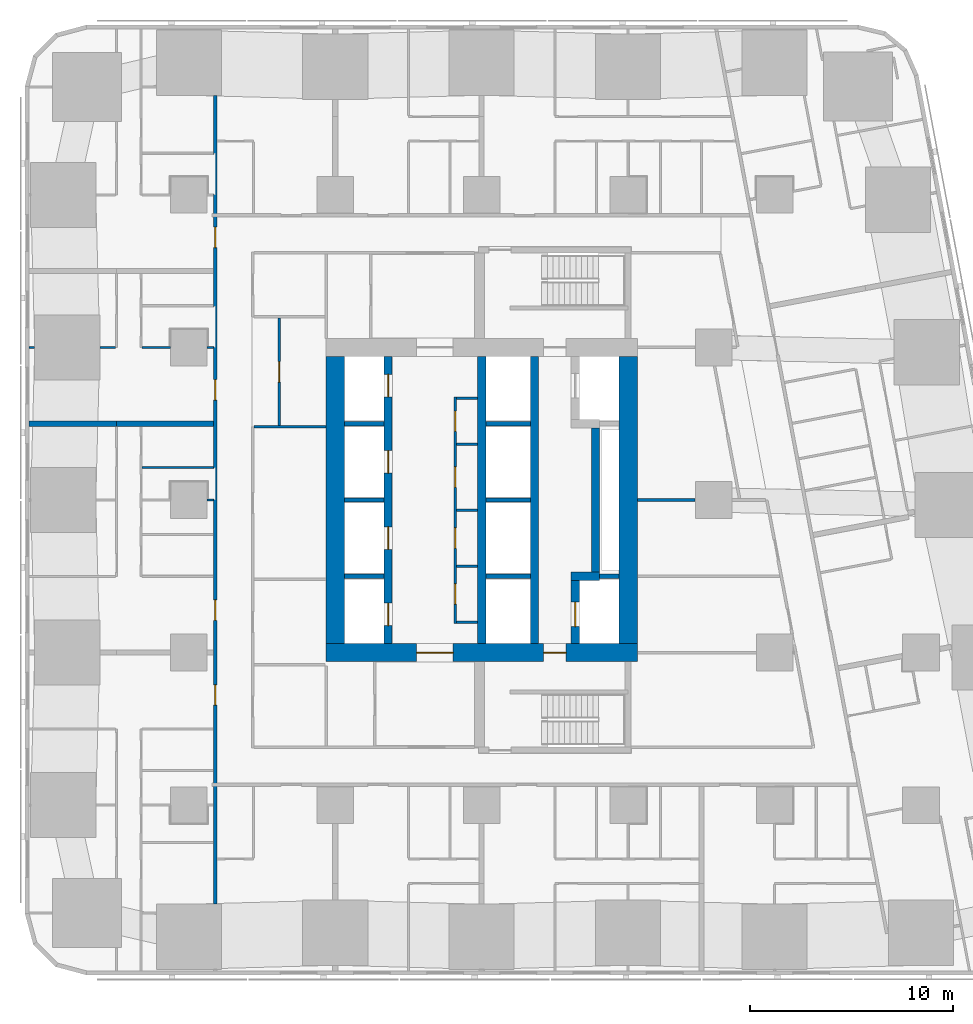
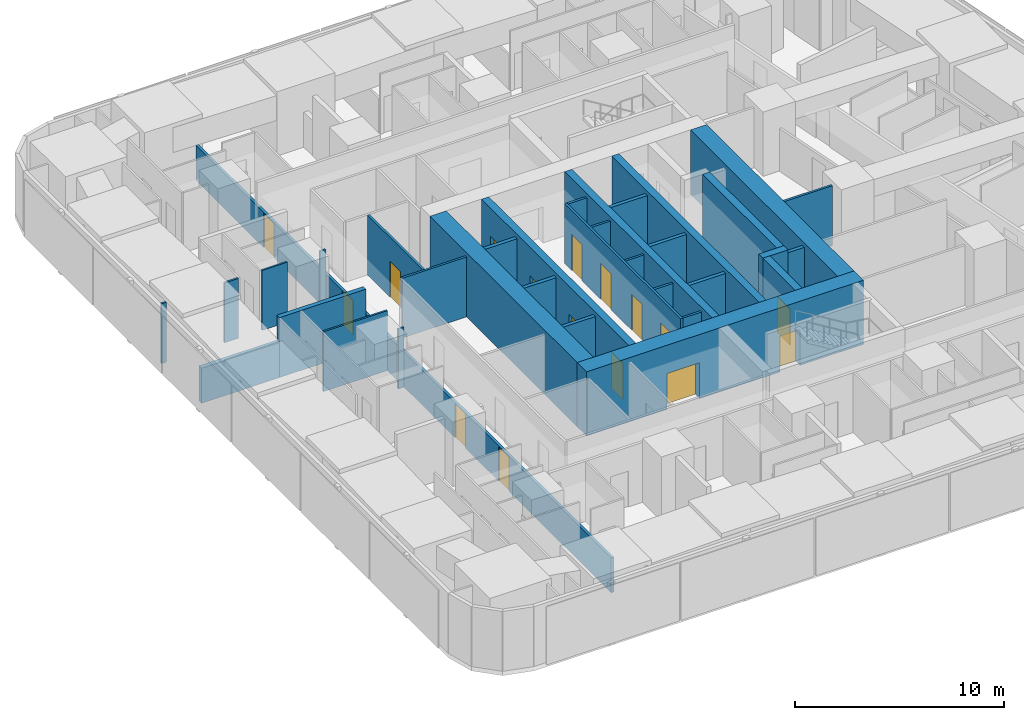
# One storey, part 6 of 17: 34 walls, 16 doors, 16 openings.
"""IFC4 building model written with IfcOpenShell, lengths in metres."""

from ifc_helpers import new_model, si_unit, direction, frame, frame_2d, origin, place, context, subcontext, project, spatial, rectangle, extrude, material, layer, layer_set, type_object, element, fill, save


model = new_model("IFC4")

# Units and contexts
model_context = context("Model", 3, precision=1e-05, world=origin(), true_north=direction((0.0, 1.0)))
body_context = subcontext(model_context, "Body", "Model", "MODEL_VIEW")
ifc_project = project(units=[si_unit("LENGTHUNIT", "METRE"), si_unit("AREAUNIT", "SQUARE_METRE"), si_unit("VOLUMEUNIT", "CUBIC_METRE"), si_unit("PLANEANGLEUNIT", "RADIAN"), si_unit("MASSUNIT", "GRAM", prefix="KILO")], contexts=[model_context])

# Site, building, storey
site_placement = place(None, origin())
site = spatial("IfcSite", under=ifc_project, at=site_placement, CompositionType="ELEMENT")
building_placement = place(site_placement, origin())
building = spatial("IfcBuilding", under=site, at=building_placement, Name="Sheger Commons Tower", CompositionType="ELEMENT")
storey_placement = place(building_placement, frame((0.0, 0.0, 23.75)))
storey = spatial("IfcBuildingStorey", under=building, at=storey_placement, Name="L05", CompositionType="ELEMENT", Elevation=23.75)

# Wall, openings, doors
ifc_material_1 = material(Name="Concrete C50/60", Category="concrete")
ifc_layer_1 = layer(ifc_material_1, 0.39990234375)
ifc_layer_set_1 = layer_set([ifc_layer_1], Name="CORE INNER WALL 400")
wall_type_1 = type_object("IfcWallType", Name="CORE INNER WALL 400", PredefinedType="SHEAR", material=ifc_layer_set_1)
wall_1_placement = place(storey_placement, frame((17.0, 15.449951171875, 0.0), z_axis=(0.0, 0.0, 1.0), x_axis=(0.0, 1.0, 0.0)))
wall_1 = element("IfcWall", 1, at=wall_1_placement, inside=storey, type_object=wall_type_1, Name="Core inner wall A L05", PredefinedType="SHEAR", context=body_context, shape_type="SweptSolid", body=[
    extrude(rectangle(XDim=14.10009765625, YDim=0.39990234375, at=frame_2d((7.050048828125, 0.0))), origin(), (0.0, 0.0, 1.0), 3.75),
])
opening_1_placement = place(wall_1_placement, frame((0.875, 0.0, 0.0)))
opening_1 = element("IfcOpeningElement", 2, at=opening_1_placement, cuts=wall_1, Name="Opening LD", PredefinedType="OPENING", context=body_context, shape_type="SweptSolid", body=[
    extrude(rectangle(XDim=1.10009765625, YDim=2.10009765625, at=frame_2d((0.550048828125, 1.050048828125))), frame((0.0, 0.2099609375, 0.0), z_axis=(0.0, -1.0, 0.0), x_axis=(1.0, 0.0, 0.0)), (0.0, 0.0, 1.0), 0.419921875),
])
opening_2_placement = place(wall_1_placement, frame((4.625, 0.0, 0.0)))
opening_2 = element("IfcOpeningElement", 3, at=opening_2_placement, cuts=wall_1, Name="Opening LD", PredefinedType="OPENING", context=body_context, shape_type="SweptSolid", body=[
    extrude(rectangle(XDim=1.10009765625, YDim=2.10009765625, at=frame_2d((0.550048828125, 1.050048828125))), frame((0.0, 0.2099609375, 0.0), z_axis=(0.0, -1.0, 0.0), x_axis=(1.0, 0.0, 0.0)), (0.0, 0.0, 1.0), 0.419921875),
])
opening_3_placement = place(wall_1_placement, frame((8.375, 0.0, 0.0)))
opening_3 = element("IfcOpeningElement", 4, at=opening_3_placement, cuts=wall_1, Name="Opening LD", PredefinedType="OPENING", context=body_context, shape_type="SweptSolid", body=[
    extrude(rectangle(XDim=1.10009765625, YDim=2.10009765625, at=frame_2d((0.550048828125, 1.050048828125))), frame((0.0, 0.2099609375, 0.0), z_axis=(0.0, -1.0, 0.0), x_axis=(1.0, 0.0, 0.0)), (0.0, 0.0, 1.0), 0.419921875),
])
opening_4_placement = place(wall_1_placement, frame((12.125, 0.0, 0.0)))
opening_4 = element("IfcOpeningElement", 5, at=opening_4_placement, cuts=wall_1, Name="Opening LD", PredefinedType="OPENING", context=body_context, shape_type="SweptSolid", body=[
    extrude(rectangle(XDim=1.10009765625, YDim=2.10009765625, at=frame_2d((0.550048828125, 1.050048828125))), frame((0.0, 0.2099609375, 0.0), z_axis=(0.0, -1.0, 0.0), x_axis=(1.0, 0.0, 0.0)), (0.0, 0.0, 1.0), 0.419921875),
])
ifc_material_2 = material(Name="Steel door set, fire rated", Category="steel")
door_type_1 = type_object("IfcDoorType", Name="LIFT LANDING DOOR 1100x2100", OperationType="DOUBLE_DOOR_SLIDING", PredefinedType="DOOR", material=ifc_material_2)
door_1_placement = place(opening_1_placement, origin())
door_1 = element("IfcDoor", 6, at=door_1_placement, inside=storey, type_object=door_type_1, Name="Lift LA1 landing door", OperationType="DOUBLE_DOOR_SLIDING", OverallHeight=2.10009765625, OverallWidth=1.10009765625, PredefinedType="DOOR", context=body_context, shape_type="SweptSolid", body=[
    extrude(rectangle(XDim=1.10009765625, YDim=2.10009765625, at=frame_2d((0.550048828125, 1.050048828125))), frame((0.0, 0.02490234375, 0.0), z_axis=(0.0, -1.0, 0.0), x_axis=(1.0, 0.0, 0.0)), (0.0, 0.0, 1.0), 0.050048828125),
])
fill(opening_1, door_1)
door_2_placement = place(opening_2_placement, origin())
door_2 = element("IfcDoor", 7, at=door_2_placement, inside=storey, type_object=door_type_1, Name="Lift LA2 landing door", OperationType="DOUBLE_DOOR_SLIDING", OverallHeight=2.10009765625, OverallWidth=1.10009765625, PredefinedType="DOOR", context=body_context, shape_type="SweptSolid", body=[
    extrude(rectangle(XDim=1.10009765625, YDim=2.10009765625, at=frame_2d((0.550048828125, 1.050048828125))), frame((0.0, 0.02490234375, 0.0), z_axis=(0.0, -1.0, 0.0), x_axis=(1.0, 0.0, 0.0)), (0.0, 0.0, 1.0), 0.050048828125),
])
fill(opening_2, door_2)
door_3_placement = place(opening_3_placement, origin())
door_3 = element("IfcDoor", 8, at=door_3_placement, inside=storey, type_object=door_type_1, Name="Lift LA3 landing door", OperationType="DOUBLE_DOOR_SLIDING", OverallHeight=2.10009765625, OverallWidth=1.10009765625, PredefinedType="DOOR", context=body_context, shape_type="SweptSolid", body=[
    extrude(rectangle(XDim=1.10009765625, YDim=2.10009765625, at=frame_2d((0.550048828125, 1.050048828125))), frame((0.0, 0.02490234375, 0.0), z_axis=(0.0, -1.0, 0.0), x_axis=(1.0, 0.0, 0.0)), (0.0, 0.0, 1.0), 0.050048828125),
])
fill(opening_3, door_3)
door_4_placement = place(opening_4_placement, origin())
door_4 = element("IfcDoor", 9, at=door_4_placement, inside=storey, type_object=door_type_1, Name="Lift LA4 landing door", OperationType="DOUBLE_DOOR_SLIDING", OverallHeight=2.10009765625, OverallWidth=1.10009765625, PredefinedType="DOOR", context=body_context, shape_type="SweptSolid", body=[
    extrude(rectangle(XDim=1.10009765625, YDim=2.10009765625, at=frame_2d((0.550048828125, 1.050048828125))), frame((0.0, 0.02490234375, 0.0), z_axis=(0.0, -1.0, 0.0), x_axis=(1.0, 0.0, 0.0)), (0.0, 0.0, 1.0), 0.050048828125),
])
fill(opening_4, door_4)

# Walls
for number, where, z_axis, x_axis, name in (
    (10, (21.60009765625, 15.449951171875, 0.0), (0.0, 0.0, 1.0), (0.0, 1.0, 0.0), "Core inner wall L L05"),
    (11, (24.199951171875, 15.449951171875, 0.0), (0.0, 0.0, 1.0), (0.0, 1.0, 0.0), "Core inner wall B L05"),
):
    element("IfcWall", number, at=place(storey_placement, frame(where, z_axis=z_axis, x_axis=x_axis)), inside=storey, type_object=wall_type_1, Name=name, PredefinedType="SHEAR", context=body_context, shape_type="SweptSolid", body=[
        extrude(rectangle(XDim=14.10009765625, YDim=0.39990234375, at=frame_2d((7.050048828125, 0.0))), origin(), (0.0, 0.0, 1.0), 3.75),
    ])

# Wall, opening, door
wall_2_placement = place(storey_placement, frame((26.199951171875, 15.449951171875, 0.0), z_axis=(0.0, 0.0, 1.0), x_axis=(0.0, 1.0, 0.0)))
wall_2 = element("IfcWall", 12, at=wall_2_placement, inside=storey, type_object=wall_type_1, Name="Core inner wall F L05", PredefinedType="SHEAR", context=body_context, shape_type="SweptSolid", body=[
    extrude(rectangle(XDim=3.10009765625, YDim=0.39990234375, at=frame_2d((1.550048828125, 0.0))), origin(), (0.0, 0.0, 1.0), 3.75),
])
opening_5_placement = place(wall_2_placement, frame((0.824951171875, 0.0, 0.0)))
opening_5 = element("IfcOpeningElement", 13, at=opening_5_placement, cuts=wall_2, Name="Opening LD2", PredefinedType="OPENING", context=body_context, shape_type="SweptSolid", body=[
    extrude(rectangle(XDim=1.199951171875, YDim=2.10009765625, at=frame_2d((0.60009765625, 1.050048828125))), frame((0.0, 0.2099609375, 0.0), z_axis=(0.0, -1.0, 0.0), x_axis=(1.0, 0.0, 0.0)), (0.0, 0.0, 1.0), 0.419921875),
])
ifc_material_3 = material(Name="Steel door set, fire rated", Category="steel")
door_type_2 = type_object("IfcDoorType", Name="FIREFIGHTING LIFT LANDING DOOR 1200x2100", OperationType="DOUBLE_DOOR_SLIDING", PredefinedType="DOOR", material=ifc_material_3)
door_5_placement = place(opening_5_placement, origin())
door_5 = element("IfcDoor", 14, at=door_5_placement, inside=storey, type_object=door_type_2, Name="Lift FL1 landing door", OperationType="DOUBLE_DOOR_SLIDING", OverallHeight=2.10009765625, OverallWidth=1.199951171875, PredefinedType="DOOR", context=body_context, shape_type="SweptSolid", body=[
    extrude(rectangle(XDim=1.199951171875, YDim=2.10009765625, at=frame_2d((0.60009765625, 1.050048828125))), frame((0.0, 0.02490234375, 0.0), z_axis=(0.0, -1.0, 0.0), x_axis=(1.0, 0.0, 0.0)), (0.0, 0.0, 1.0), 0.050048828125),
])
fill(opening_5, door_5)

# Walls
wall_3_placement = place(storey_placement, frame((26.0, 18.75, 0.0), z_axis=(0.0, 0.0, 1.0), x_axis=(1.0, 0.0, 0.0)))
element("IfcWall", 15, at=wall_3_placement, inside=storey, type_object=wall_type_1, Name="Core inner wall F south return L05", PredefinedType="SHEAR", context=body_context, shape_type="SweptSolid", body=[
    extrude(rectangle(XDim=1.39990234375, YDim=0.39990234375, at=frame_2d((0.699951171875, 0.0))), origin(), (0.0, 0.0, 1.0), 3.75),
])
wall_4_placement = place(storey_placement, frame((27.199951171875, 18.949951171875, 0.0), z_axis=(0.0, 0.0, 1.0), x_axis=(0.0, 1.0, 0.0)))
element("IfcWall", 16, at=wall_4_placement, inside=storey, type_object=wall_type_1, Name="Core inner wall F middle L05", PredefinedType="SHEAR", context=body_context, shape_type="SweptSolid", body=[
    extrude(rectangle(XDim=7.10009765625, YDim=0.39990234375, at=frame_2d((3.550048828125, 0.0))), origin(), (0.0, 0.0, 1.0), 3.75),
])

# Wall, openings, doors
ifc_material_4 = material(Name="Concrete C50/60", Category="concrete")
ifc_layer_2 = layer(ifc_material_4, 0.89990234375)
ifc_layer_set_2 = layer_set([ifc_layer_2], Name="CORE WALL 900")
wall_type_2 = type_object("IfcWallType", Name="CORE WALL 900", PredefinedType="SHEAR", material=ifc_layer_set_2)
wall_5_placement = place(storey_placement, frame((13.949951171875, 15.0, 0.0), z_axis=(0.0, 0.0, 1.0), x_axis=(1.0, 0.0, 0.0)))
wall_5 = element("IfcWall", 17, at=wall_5_placement, inside=storey, type_object=wall_type_2, Name="Core wall south L05", PredefinedType="SHEAR", context=body_context, shape_type="SweptSolid", body=[
    extrude(rectangle(XDim=15.300048828125, YDim=0.89990234375, at=frame_2d((7.64990234375, 0.0))), origin(), (0.0, 0.0, 1.0), 3.75),
])
opening_6_placement = place(wall_5_placement, frame((4.449951171875, 0.0, 0.0)))
opening_6 = element("IfcOpeningElement", 18, at=opening_6_placement, cuts=wall_5, Name="Opening D6", PredefinedType="OPENING", context=body_context, shape_type="SweptSolid", body=[
    extrude(rectangle(XDim=1.800048828125, YDim=2.10009765625, at=frame_2d((0.89990234375, 1.050048828125))), frame((0.0, 0.4599609375, 0.0), z_axis=(0.0, -1.0, 0.0), x_axis=(1.0, 0.0, 0.0)), (0.0, 0.0, 1.0), 0.919921875),
])
opening_7_placement = place(wall_5_placement, frame((10.699951171875, 0.0, 0.0)))
opening_7 = element("IfcOpeningElement", 19, at=opening_7_placement, cuts=wall_5, Name="Opening D5", PredefinedType="OPENING", context=body_context, shape_type="SweptSolid", body=[
    extrude(rectangle(XDim=1.10009765625, YDim=2.10009765625, at=frame_2d((0.550048828125, 1.050048828125))), frame((0.0, 0.4599609375, 0.0), z_axis=(0.0, -1.0, 0.0), x_axis=(1.0, 0.0, 0.0)), (0.0, 0.0, 1.0), 0.919921875),
])
ifc_material_5 = material(Name="Steel door set, fire rated", Category="steel")
door_type_3 = type_object("IfcDoorType", Name="LOBBY DOUBLE DOOR 1800x2100", OperationType="DOUBLE_DOOR_SINGLE_SWING", PredefinedType="DOOR", material=ifc_material_5)
door_6_placement = place(opening_6_placement, origin())
door_6 = element("IfcDoor", 20, at=door_6_placement, inside=storey, type_object=door_type_3, Name="Lift lobby door", OperationType="DOUBLE_DOOR_SINGLE_SWING", OverallHeight=2.10009765625, OverallWidth=1.800048828125, PredefinedType="DOOR", context=body_context, shape_type="SweptSolid", body=[
    extrude(rectangle(XDim=1.800048828125, YDim=2.10009765625, at=frame_2d((0.89990234375, 1.050048828125))), frame((0.0, 0.02490234375, 0.0), z_axis=(0.0, -1.0, 0.0), x_axis=(1.0, 0.0, 0.0)), (0.0, 0.0, 1.0), 0.050048828125),
])
fill(opening_6, door_6)
ifc_material_6 = material(Name="Steel door set, fire rated", Category="steel")
door_type_4 = type_object("IfcDoorType", Name="STAIR DOOR 1100x2100", OperationType="NOTDEFINED", PredefinedType="DOOR", material=ifc_material_6)
door_7_placement = place(opening_7_placement, origin())
door_7 = element("IfcDoor", 21, at=door_7_placement, inside=storey, type_object=door_type_4, Name="Fire-fighting lobby door", OperationType="SINGLE_SWING_RIGHT", OverallHeight=2.10009765625, OverallWidth=1.10009765625, PredefinedType="DOOR", context=body_context, shape_type="SweptSolid", body=[
    extrude(rectangle(XDim=1.10009765625, YDim=2.10009765625, at=frame_2d((0.550048828125, 1.050048828125))), frame((0.0, 0.02490234375, 0.0), z_axis=(0.0, -1.0, 0.0), x_axis=(1.0, 0.0, 0.0)), (0.0, 0.0, 1.0), 0.050048828125),
])
fill(opening_7, door_7)

# Walls
for number, where, z_axis, x_axis, name in (
    (22, (14.39990234375, 15.449951171875, 0.0), (0.0, 0.0, 1.0), (0.0, 1.0, 0.0), "Core wall west L05"),
    (23, (28.800048828125, 15.449951171875, 0.0), (0.0, 0.0, 1.0), (0.0, 1.0, 0.0), "Core wall east L05"),
):
    element("IfcWall", number, at=place(storey_placement, frame(where, z_axis=z_axis, x_axis=x_axis)), inside=storey, type_object=wall_type_2, Name=name, PredefinedType="SHEAR", context=body_context, shape_type="SweptSolid", body=[
        extrude(rectangle(XDim=14.10009765625, YDim=0.89990234375, at=frame_2d((7.050048828125, 0.0))), origin(), (0.0, 0.0, 1.0), 3.75),
    ])

# Wall, openings, doors
ifc_material_7 = material(Name="Hollow concrete block masonry, skimmed both sides", Category="masonry")
ifc_layer_3 = layer(ifc_material_7, 0.14990234375)
ifc_layer_set_3 = layer_set([ifc_layer_3], Name="CORRIDOR WALL 150")
wall_type_3 = type_object("IfcWallType", Name="CORRIDOR WALL 150", PredefinedType="SOLIDWALL", material=ifc_layer_set_3)
wall_6_placement = place(storey_placement, frame((8.5, 2.6259765625, 0.0), z_axis=(0.0, 0.0, 1.0), x_axis=(0.0, 1.0, 0.0)))
wall_6 = element("IfcWall", 24, at=wall_6_placement, inside=storey, type_object=wall_type_3, Name="Corridor wall L05", PredefinedType="SOLIDWALL", context=body_context, shape_type="SweptSolid", body=[
    extrude(rectangle(XDim=39.77294921875, YDim=0.14990234375, at=frame_2d((19.886474609375, 0.0))), origin(), (0.0, 0.0, 1.0), 2.050048828125),
])
opening_8_placement = place(wall_6_placement, frame((9.785888671875, 0.0, 0.0)))
opening_8 = element("IfcOpeningElement", 25, at=opening_8_placement, cuts=wall_6, Name="Opening D10", PredefinedType="OPENING", context=body_context, shape_type="SweptSolid", body=[
    extrude(rectangle(XDim=1.0, YDim=2.0, at=frame_2d((0.5, 1.0))), frame((0.0, 0.0849609375, 0.0), z_axis=(0.0, -1.0, 0.0), x_axis=(1.0, 0.0, 0.0)), (0.0, 0.0, 1.0), 0.169921875),
])
opening_9_placement = place(wall_6_placement, frame((13.9609375, 0.0, 0.0)))
opening_9 = element("IfcOpeningElement", 26, at=opening_9_placement, cuts=wall_6, Name="Opening D10", PredefinedType="OPENING", context=body_context, shape_type="SweptSolid", body=[
    extrude(rectangle(XDim=1.0, YDim=2.0, at=frame_2d((0.5, 1.0))), frame((0.0, 0.0849609375, 0.0), z_axis=(0.0, -1.0, 0.0), x_axis=(1.0, 0.0, 0.0)), (0.0, 0.0, 1.0), 0.169921875),
])
opening_10_placement = place(wall_6_placement, frame((24.787109375, 0.0, 0.0)))
opening_10 = element("IfcOpeningElement", 27, at=opening_10_placement, cuts=wall_6, Name="Opening D10", PredefinedType="OPENING", context=body_context, shape_type="SweptSolid", body=[
    extrude(rectangle(XDim=1.0, YDim=2.0, at=frame_2d((0.5, 1.0))), frame((0.0, 0.0849609375, 0.0), z_axis=(0.0, -1.0, 0.0), x_axis=(1.0, 0.0, 0.0)), (0.0, 0.0, 1.0), 0.169921875),
])
opening_11_placement = place(wall_6_placement, frame((32.287109375, 0.0, 0.0)))
opening_11 = element("IfcOpeningElement", 28, at=opening_11_placement, cuts=wall_6, Name="Opening D10", PredefinedType="OPENING", context=body_context, shape_type="SweptSolid", body=[
    extrude(rectangle(XDim=1.0, YDim=2.0, at=frame_2d((0.5, 1.0))), frame((0.0, 0.0849609375, 0.0), z_axis=(0.0, -1.0, 0.0), x_axis=(1.0, 0.0, 0.0)), (0.0, 0.0, 1.0), 0.169921875),
])
ifc_material_8 = material(Name="Steel door set, fire rated", Category="steel")
door_type_5 = type_object("IfcDoorType", Name="FLAT ENTRANCE DOOR 1000x2000", OperationType="NOTDEFINED", PredefinedType="DOOR", material=ifc_material_8)
door_8_placement = place(opening_8_placement, origin())
door_8 = element("IfcDoor", 29, at=door_8_placement, inside=storey, type_object=door_type_5, Name="Flat entrance door", OperationType="SINGLE_SWING_LEFT", OverallHeight=2.0, OverallWidth=1.0, PredefinedType="DOOR", context=body_context, shape_type="SweptSolid", body=[
    extrude(rectangle(XDim=1.0, YDim=2.0, at=frame_2d((0.5, 1.0))), frame((0.0, 0.02490234375, 0.0), z_axis=(0.0, -1.0, 0.0), x_axis=(1.0, 0.0, 0.0)), (0.0, 0.0, 1.0), 0.050048828125),
])
fill(opening_8, door_8)
door_9_placement = place(opening_9_placement, origin())
door_9 = element("IfcDoor", 30, at=door_9_placement, inside=storey, type_object=door_type_5, Name="Flat entrance door", OperationType="SINGLE_SWING_RIGHT", OverallHeight=2.0, OverallWidth=1.0, PredefinedType="DOOR", context=body_context, shape_type="SweptSolid", body=[
    extrude(rectangle(XDim=1.0, YDim=2.0, at=frame_2d((0.5, 1.0))), frame((0.0, 0.02490234375, 0.0), z_axis=(0.0, -1.0, 0.0), x_axis=(1.0, 0.0, 0.0)), (0.0, 0.0, 1.0), 0.050048828125),
])
fill(opening_9, door_9)
door_10_placement = place(opening_10_placement, origin())
door_10 = element("IfcDoor", 31, at=door_10_placement, inside=storey, type_object=door_type_5, Name="Flat entrance door", OperationType="SINGLE_SWING_LEFT", OverallHeight=2.0, OverallWidth=1.0, PredefinedType="DOOR", context=body_context, shape_type="SweptSolid", body=[
    extrude(rectangle(XDim=1.0, YDim=2.0, at=frame_2d((0.5, 1.0))), frame((0.0, 0.02490234375, 0.0), z_axis=(0.0, -1.0, 0.0), x_axis=(1.0, 0.0, 0.0)), (0.0, 0.0, 1.0), 0.050048828125),
])
fill(opening_10, door_10)
door_11_placement = place(opening_11_placement, origin())
door_11 = element("IfcDoor", 32, at=door_11_placement, inside=storey, type_object=door_type_5, Name="Flat entrance door", OperationType="SINGLE_SWING_LEFT", OverallHeight=2.0, OverallWidth=1.0, PredefinedType="DOOR", context=body_context, shape_type="SweptSolid", body=[
    extrude(rectangle(XDim=1.0, YDim=2.0, at=frame_2d((0.5, 1.0))), frame((0.0, 0.02490234375, 0.0), z_axis=(0.0, -1.0, 0.0), x_axis=(1.0, 0.0, 0.0)), (0.0, 0.0, 1.0), 0.050048828125),
])
fill(opening_11, door_11)

# Walls
ifc_material_9 = material(Name="Dense concrete block masonry, plastered both sides (separating wall between flats)", Category="masonry")
ifc_layer_4 = layer(ifc_material_9, 0.25)
ifc_layer_set_4 = layer_set([ifc_layer_4], Name="DEMISING WALL 250")
wall_type_4 = type_object("IfcWallType", Name="DEMISING WALL 250", PredefinedType="SOLIDWALL", material=ifc_layer_set_4)
wall_7_placement = place(storey_placement, frame((-0.64990234375, 26.25, 0.0), z_axis=(0.0, 0.0, 1.0), x_axis=(1.0, 0.0, 0.0)))
element("IfcWall", 33, at=wall_7_placement, inside=storey, type_object=wall_type_4, Name="Demising wall L05", PredefinedType="SOLIDWALL", context=body_context, shape_type="SweptSolid", body=[
    extrude(rectangle(XDim=4.2998046875, YDim=0.25, at=frame_2d((2.14990234375, 0.0))), origin(), (0.0, 0.0, 1.0), 2.050048828125),
])
wall_8_placement = place(storey_placement, frame((3.64990234375, 26.25, 0.0), z_axis=(0.0, 0.0, 1.0), x_axis=(1.0, 0.0, 0.0)))
element("IfcWall", 34, at=wall_8_placement, inside=storey, type_object=wall_type_4, Name="Demising wall L05", PredefinedType="SOLIDWALL", context=body_context, shape_type="SweptSolid", body=[
    extrude(rectangle(XDim=4.775146484375, YDim=0.25, at=frame_2d((2.3876953125, 0.0))), origin(), (0.0, 0.0, 1.0), 3.5),
])
ifc_material_10 = material(Name="Gypsum board on steel studs", Category="steel")
ifc_layer_5 = layer(ifc_material_10, 0.10009765625)
ifc_layer_set_5 = layer_set([ifc_layer_5], Name="PARTITION 100")
wall_type_5 = type_object("IfcWallType", Name="PARTITION 100", PredefinedType="PARTITIONING", material=ifc_layer_set_5)
wall_9_placement = place(storey_placement, frame((8.10107421875, 22.5, 0.0), z_axis=(0.0, 0.0, 1.0), x_axis=(1.0, 0.0, 0.0)))
element("IfcWall", 35, at=wall_9_placement, inside=storey, type_object=wall_type_5, Name="Partition L05", PredefinedType="PARTITIONING", context=body_context, shape_type="SweptSolid", body=[
    extrude(rectangle(XDim=0.323974609375, YDim=0.10009765625, at=frame_2d((0.162109375, 0.0))), origin(), (0.0, 0.0, 1.0), 3.5),
])
wall_10_placement = place(storey_placement, frame((4.89990234375, 24.10009765625, 0.0), z_axis=(0.0, 0.0, 1.0), x_axis=(1.0, 0.0, 0.0)))
element("IfcWall", 36, at=wall_10_placement, inside=storey, type_object=wall_type_5, Name="Partition L05", PredefinedType="PARTITIONING", context=body_context, shape_type="SweptSolid", body=[
    extrude(rectangle(XDim=3.525146484375, YDim=0.10009765625, at=frame_2d((1.7626953125, 0.0))), origin(), (0.0, 0.0, 1.0), 3.5),
])
wall_11_placement = place(storey_placement, frame((-0.64990234375, 30.0, 0.0), z_axis=(0.0, 0.0, 1.0), x_axis=(1.0, 0.0, 0.0)))
element("IfcWall", 37, at=wall_11_placement, inside=storey, type_object=wall_type_5, Name="Partition L05", PredefinedType="PARTITIONING", context=body_context, shape_type="SweptSolid", body=[
    extrude(rectangle(XDim=0.27392578125, YDim=0.10009765625, at=frame_2d((0.136962890625, 0.0))), origin(), (0.0, 0.0, 1.0), 3.5),
])
wall_12_placement = place(storey_placement, frame((2.825927734375, 30.0, 0.0), z_axis=(0.0, 0.0, 1.0), x_axis=(1.0, 0.0, 0.0)))
element("IfcWall", 38, at=wall_12_placement, inside=storey, type_object=wall_type_5, Name="Partition L05", PredefinedType="PARTITIONING", context=body_context, shape_type="SweptSolid", body=[
    extrude(rectangle(XDim=0.774169921875, YDim=0.10009765625, at=frame_2d((0.38720703125, 0.0))), origin(), (0.0, 0.0, 1.0), 3.5),
])
wall_13_placement = place(storey_placement, frame((4.89990234375, 30.0, 0.0), z_axis=(0.0, 0.0, 1.0), x_axis=(1.0, 0.0, 0.0)))
element("IfcWall", 39, at=wall_13_placement, inside=storey, type_object=wall_type_5, Name="Partition L05", PredefinedType="PARTITIONING", context=body_context, shape_type="SweptSolid", body=[
    extrude(rectangle(XDim=1.399169921875, YDim=0.10009765625, at=frame_2d((0.69970703125, 0.0))), origin(), (0.0, 0.0, 1.0), 3.5),
])
wall_14_placement = place(storey_placement, frame((8.10107421875, 30.0, 0.0), z_axis=(0.0, 0.0, 1.0), x_axis=(1.0, 0.0, 0.0)))
element("IfcWall", 40, at=wall_14_placement, inside=storey, type_object=wall_type_5, Name="Partition L05", PredefinedType="PARTITIONING", context=body_context, shape_type="SweptSolid", body=[
    extrude(rectangle(XDim=0.323974609375, YDim=0.10009765625, at=frame_2d((0.162109375, 0.0))), origin(), (0.0, 0.0, 1.0), 3.5),
])

# Wall, opening, door
ifc_material_11 = material(Name="Gypsum board on steel studs, two layers each side, fire rated", Category="steel")
ifc_layer_6 = layer(ifc_material_11, 0.125)
ifc_layer_set_6 = layer_set([ifc_layer_6], Name="SERVICE WALL 125")
wall_type_6 = type_object("IfcWallType", Name="SERVICE WALL 125", PredefinedType="PARTITIONING", material=ifc_layer_set_6)
wall_15_placement = place(storey_placement, frame((11.64990234375, 26.1630859375, 0.0), z_axis=(0.0, 0.0, 1.0), x_axis=(0.0, 1.0, 0.0)))
wall_15 = element("IfcWall", 41, at=wall_15_placement, inside=storey, type_object=wall_type_6, Name="Service room wall L05", PredefinedType="PARTITIONING", context=body_context, shape_type="SweptSolid", body=[
    extrude(rectangle(XDim=5.27490234375, YDim=0.125, at=frame_2d((2.637451171875, 0.0))), origin(), (0.0, 0.0, 1.0), 3.5),
])
opening_12_placement = place(wall_15_placement, frame((2.136962890625, 0.0, 0.0)))
opening_12 = element("IfcOpeningElement", 42, at=opening_12_placement, cuts=wall_15, Name="Opening D4", PredefinedType="OPENING", context=body_context, shape_type="SweptSolid", body=[
    extrude(rectangle(XDim=1.0, YDim=2.10009765625, at=frame_2d((0.5, 1.050048828125))), frame((0.0, 0.072509765625, 0.0), z_axis=(0.0, -1.0, 0.0), x_axis=(1.0, 0.0, 0.0)), (0.0, 0.0, 1.0), 0.14501953125),
])
ifc_material_12 = material(Name="Steel door set, fire rated", Category="steel")
door_type_6 = type_object("IfcDoorType", Name="SERVICE DOOR 1000x2100", OperationType="NOTDEFINED", PredefinedType="DOOR", material=ifc_material_12)
door_12_placement = place(opening_12_placement, origin())
door_12 = element("IfcDoor", 43, at=door_12_placement, inside=storey, type_object=door_type_6, Name="Laundry and drying room door", OperationType="SINGLE_SWING_RIGHT", OverallHeight=2.10009765625, OverallWidth=1.0, PredefinedType="DOOR", context=body_context, shape_type="SweptSolid", body=[
    extrude(rectangle(XDim=1.0, YDim=2.10009765625, at=frame_2d((0.5, 1.050048828125))), frame((0.0, 0.02490234375, 0.0), z_axis=(0.0, -1.0, 0.0), x_axis=(1.0, 0.0, 0.0)), (0.0, 0.0, 1.0), 0.050048828125),
])
fill(opening_12, door_12)

# Walls
wall_16_placement = place(storey_placement, frame((10.4130859375, 26.10009765625, 0.0), z_axis=(0.0, 0.0, 1.0), x_axis=(1.0, 0.0, 0.0)))
element("IfcWall", 44, at=wall_16_placement, inside=storey, type_object=wall_type_6, Name="Service room wall L05", PredefinedType="PARTITIONING", context=body_context, shape_type="SweptSolid", body=[
    extrude(rectangle(XDim=3.536865234375, YDim=0.125, at=frame_2d((1.7685546875, 0.0))), origin(), (0.0, 0.0, 1.0), 3.5),
])
wall_17_placement = place(storey_placement, frame((29.25, 22.5, 0.0), z_axis=(0.0, 0.0, 1.0), x_axis=(1.0, 0.0, 0.0)))
element("IfcWall", 45, at=wall_17_placement, inside=storey, type_object=wall_type_6, Name="Service room wall L05", PredefinedType="PARTITIONING", context=body_context, shape_type="SweptSolid", body=[
    extrude(rectangle(XDim=2.84912109375, YDim=0.125, at=frame_2d((1.424560546875, 0.0))), origin(), (0.0, 0.0, 1.0), 3.5),
])

# Wall, openings, doors
wall_18_placement = place(storey_placement, frame((20.300048828125, 16.43798828125, 0.0), z_axis=(0.0, 0.0, 1.0), x_axis=(0.0, 1.0, 0.0)))
wall_18 = element("IfcWall", 46, at=wall_18_placement, inside=storey, type_object=wall_type_6, Name="Service room wall L05", PredefinedType="PARTITIONING", context=body_context, shape_type="SweptSolid", body=[
    extrude(rectangle(XDim=11.1240234375, YDim=0.125, at=frame_2d((5.56201171875, 0.0))), origin(), (0.0, 0.0, 1.0), 3.5),
])
opening_13_placement = place(wall_18_placement, frame((0.93701171875, 0.0, 0.0)))
opening_13 = element("IfcOpeningElement", 47, at=opening_13_placement, cuts=wall_18, Name="Opening D4", PredefinedType="OPENING", context=body_context, shape_type="SweptSolid", body=[
    extrude(rectangle(XDim=1.0, YDim=2.10009765625, at=frame_2d((0.5, 1.050048828125))), frame((0.0, 0.072509765625, 0.0), z_axis=(0.0, -1.0, 0.0), x_axis=(1.0, 0.0, 0.0)), (0.0, 0.0, 1.0), 0.14501953125),
])
opening_14_placement = place(wall_18_placement, frame((3.68701171875, 0.0, 0.0)))
opening_14 = element("IfcOpeningElement", 48, at=opening_14_placement, cuts=wall_18, Name="Opening D4", PredefinedType="OPENING", context=body_context, shape_type="SweptSolid", body=[
    extrude(rectangle(XDim=1.0, YDim=2.10009765625, at=frame_2d((0.5, 1.050048828125))), frame((0.0, 0.072509765625, 0.0), z_axis=(0.0, -1.0, 0.0), x_axis=(1.0, 0.0, 0.0)), (0.0, 0.0, 1.0), 0.14501953125),
])
opening_15_placement = place(wall_18_placement, frame((6.68701171875, 0.0, 0.0)))
opening_15 = element("IfcOpeningElement", 49, at=opening_15_placement, cuts=wall_18, Name="Opening D4", PredefinedType="OPENING", context=body_context, shape_type="SweptSolid", body=[
    extrude(rectangle(XDim=1.0, YDim=2.10009765625, at=frame_2d((0.5, 1.050048828125))), frame((0.0, 0.072509765625, 0.0), z_axis=(0.0, -1.0, 0.0), x_axis=(1.0, 0.0, 0.0)), (0.0, 0.0, 1.0), 0.14501953125),
])
opening_16_placement = place(wall_18_placement, frame((9.43701171875, 0.0, 0.0)))
opening_16 = element("IfcOpeningElement", 50, at=opening_16_placement, cuts=wall_18, Name="Opening D4", PredefinedType="OPENING", context=body_context, shape_type="SweptSolid", body=[
    extrude(rectangle(XDim=1.0, YDim=2.10009765625, at=frame_2d((0.5, 1.050048828125))), frame((0.0, 0.072509765625, 0.0), z_axis=(0.0, -1.0, 0.0), x_axis=(1.0, 0.0, 0.0)), (0.0, 0.0, 1.0), 0.14501953125),
])
door_13_placement = place(opening_13_placement, origin())
door_13 = element("IfcDoor", 51, at=door_13_placement, inside=storey, type_object=door_type_6, Name="Communications cupboard door", OperationType="SINGLE_SWING_RIGHT", OverallHeight=2.10009765625, OverallWidth=1.0, PredefinedType="DOOR", context=body_context, shape_type="SweptSolid", body=[
    extrude(rectangle(XDim=1.0, YDim=2.10009765625, at=frame_2d((0.5, 1.050048828125))), frame((0.0, 0.02490234375, 0.0), z_axis=(0.0, -1.0, 0.0), x_axis=(1.0, 0.0, 0.0)), (0.0, 0.0, 1.0), 0.050048828125),
])
fill(opening_13, door_13)
door_14_placement = place(opening_14_placement, origin())
door_14 = element("IfcDoor", 52, at=door_14_placement, inside=storey, type_object=door_type_6, Name="Electrical cupboard door", OperationType="SINGLE_SWING_RIGHT", OverallHeight=2.10009765625, OverallWidth=1.0, PredefinedType="DOOR", context=body_context, shape_type="SweptSolid", body=[
    extrude(rectangle(XDim=1.0, YDim=2.10009765625, at=frame_2d((0.5, 1.050048828125))), frame((0.0, 0.02490234375, 0.0), z_axis=(0.0, -1.0, 0.0), x_axis=(1.0, 0.0, 0.0)), (0.0, 0.0, 1.0), 0.050048828125),
])
fill(opening_14, door_14)
door_15_placement = place(opening_15_placement, origin())
door_15 = element("IfcDoor", 53, at=door_15_placement, inside=storey, type_object=door_type_6, Name="Cleaner's cupboard door", OperationType="SINGLE_SWING_RIGHT", OverallHeight=2.10009765625, OverallWidth=1.0, PredefinedType="DOOR", context=body_context, shape_type="SweptSolid", body=[
    extrude(rectangle(XDim=1.0, YDim=2.10009765625, at=frame_2d((0.5, 1.050048828125))), frame((0.0, 0.02490234375, 0.0), z_axis=(0.0, -1.0, 0.0), x_axis=(1.0, 0.0, 0.0)), (0.0, 0.0, 1.0), 0.050048828125),
])
fill(opening_15, door_15)
door_16_placement = place(opening_16_placement, origin())
door_16 = element("IfcDoor", 54, at=door_16_placement, inside=storey, type_object=door_type_6, Name="Communications cupboard door", OperationType="SINGLE_SWING_LEFT", OverallHeight=2.10009765625, OverallWidth=1.0, PredefinedType="DOOR", context=body_context, shape_type="SweptSolid", body=[
    extrude(rectangle(XDim=1.0, YDim=2.10009765625, at=frame_2d((0.5, 1.050048828125))), frame((0.0, 0.02490234375, 0.0), z_axis=(0.0, -1.0, 0.0), x_axis=(1.0, 0.0, 0.0)), (0.0, 0.0, 1.0), 0.050048828125),
])
fill(opening_16, door_16)

# Walls
for number, where, z_axis, x_axis, name in (
    (55, (20.363037109375, 16.5, 0.0), (0.0, 0.0, 1.0), (1.0, 0.0, 0.0), "Service room wall L05"),
    (56, (20.363037109375, 27.5, 0.0), (0.0, 0.0, 1.0), (1.0, 0.0, 0.0), "Service room wall L05"),
    (57, (20.363037109375, 19.25, 0.0), (0.0, 0.0, 1.0), (1.0, 0.0, 0.0), "Service room wall L05"),
    (58, (20.363037109375, 22.0, 0.0), (0.0, 0.0, 1.0), (1.0, 0.0, 0.0), "Service room wall L05"),
    (59, (20.363037109375, 25.25, 0.0), (0.0, 0.0, 1.0), (1.0, 0.0, 0.0), "Service room wall L05"),
):
    element("IfcWall", number, at=place(storey_placement, frame(where, z_axis=z_axis, x_axis=x_axis)), inside=storey, type_object=wall_type_6, Name=name, PredefinedType="PARTITIONING", context=body_context, shape_type="SweptSolid", body=[
        extrude(rectangle(XDim=1.036865234375, YDim=0.125, at=frame_2d((0.5185546875, 0.0))), origin(), (0.0, 0.0, 1.0), 3.5),
    ])
ifc_material_13 = material(Name="Hollow concrete block masonry", Category="masonry")
ifc_layer_7 = layer(ifc_material_13, 0.199951171875)
ifc_layer_set_7 = layer_set([ifc_layer_7], Name="SHAFT WALL 200")
wall_type_7 = type_object("IfcWallType", Name="SHAFT WALL 200", PredefinedType="SOLIDWALL", material=ifc_layer_set_7)
wall_19_placement = place(storey_placement, frame((14.85009765625, 18.75, 0.0), z_axis=(0.0, 0.0, 1.0), x_axis=(1.0, 0.0, 0.0)))
element("IfcWall", 60, at=wall_19_placement, inside=storey, type_object=wall_type_7, Name="Lift shaft wall L05", PredefinedType="SOLIDWALL", context=body_context, shape_type="SweptSolid", body=[
    extrude(rectangle(XDim=1.949951171875, YDim=0.199951171875, at=frame_2d((0.97509765625, 0.0))), origin(), (0.0, 0.0, 1.0), 3.5),
])
wall_20_placement = place(storey_placement, frame((21.800048828125, 18.75, 0.0), z_axis=(0.0, 0.0, 1.0), x_axis=(1.0, 0.0, 0.0)))
element("IfcWall", 61, at=wall_20_placement, inside=storey, type_object=wall_type_7, Name="Lift shaft wall L05", PredefinedType="SOLIDWALL", context=body_context, shape_type="SweptSolid", body=[
    extrude(rectangle(XDim=2.199951171875, YDim=0.199951171875, at=frame_2d((1.10009765625, 0.0))), origin(), (0.0, 0.0, 1.0), 3.5),
])
wall_21_placement = place(storey_placement, frame((14.85009765625, 22.5, 0.0), z_axis=(0.0, 0.0, 1.0), x_axis=(1.0, 0.0, 0.0)))
element("IfcWall", 62, at=wall_21_placement, inside=storey, type_object=wall_type_7, Name="Lift shaft wall L05", PredefinedType="SOLIDWALL", context=body_context, shape_type="SweptSolid", body=[
    extrude(rectangle(XDim=1.949951171875, YDim=0.199951171875, at=frame_2d((0.97509765625, 0.0))), origin(), (0.0, 0.0, 1.0), 3.5),
])
wall_22_placement = place(storey_placement, frame((21.800048828125, 22.5, 0.0), z_axis=(0.0, 0.0, 1.0), x_axis=(1.0, 0.0, 0.0)))
element("IfcWall", 63, at=wall_22_placement, inside=storey, type_object=wall_type_7, Name="Lift shaft wall L05", PredefinedType="SOLIDWALL", context=body_context, shape_type="SweptSolid", body=[
    extrude(rectangle(XDim=2.199951171875, YDim=0.199951171875, at=frame_2d((1.10009765625, 0.0))), origin(), (0.0, 0.0, 1.0), 3.5),
])
wall_23_placement = place(storey_placement, frame((14.85009765625, 26.25, 0.0), z_axis=(0.0, 0.0, 1.0), x_axis=(1.0, 0.0, 0.0)))
element("IfcWall", 64, at=wall_23_placement, inside=storey, type_object=wall_type_7, Name="Lift shaft wall L05", PredefinedType="SOLIDWALL", context=body_context, shape_type="SweptSolid", body=[
    extrude(rectangle(XDim=1.949951171875, YDim=0.199951171875, at=frame_2d((0.97509765625, 0.0))), origin(), (0.0, 0.0, 1.0), 3.5),
])
wall_24_placement = place(storey_placement, frame((21.800048828125, 26.25, 0.0), z_axis=(0.0, 0.0, 1.0), x_axis=(1.0, 0.0, 0.0)))
element("IfcWall", 65, at=wall_24_placement, inside=storey, type_object=wall_type_7, Name="Lift shaft wall L05", PredefinedType="SOLIDWALL", context=body_context, shape_type="SweptSolid", body=[
    extrude(rectangle(XDim=2.199951171875, YDim=0.199951171875, at=frame_2d((1.10009765625, 0.0))), origin(), (0.0, 0.0, 1.0), 3.5),
])
wall_25_placement = place(storey_placement, frame((27.39990234375, 18.75, 0.0), z_axis=(0.0, 0.0, 1.0), x_axis=(1.0, 0.0, 0.0)))
element("IfcWall", 66, at=wall_25_placement, inside=storey, type_object=wall_type_7, Name="Lift shaft wall L05", PredefinedType="SOLIDWALL", context=body_context, shape_type="SweptSolid", body=[
    extrude(rectangle(XDim=0.9501953125, YDim=0.199951171875, at=frame_2d((0.47509765625, 0.0))), origin(), (0.0, 0.0, 1.0), 3.5),
])

save(model, "model.ifc")
